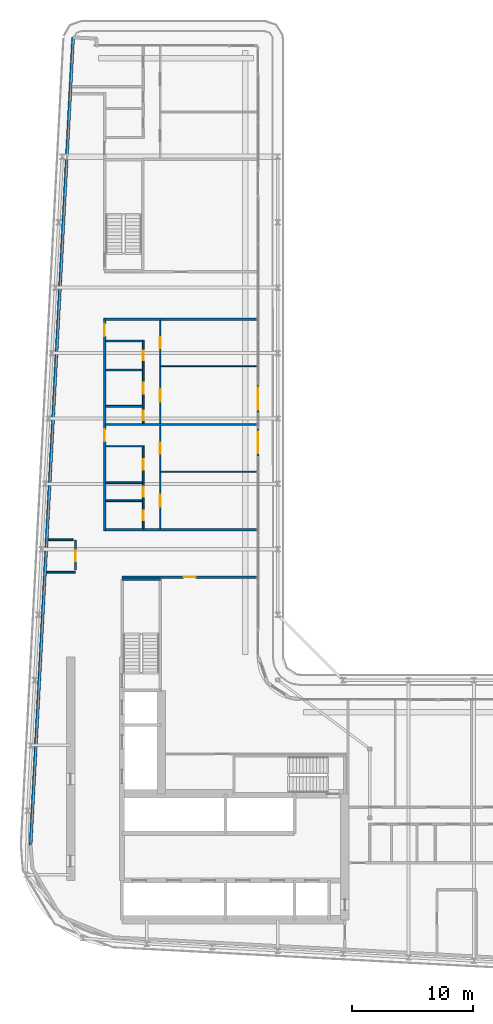
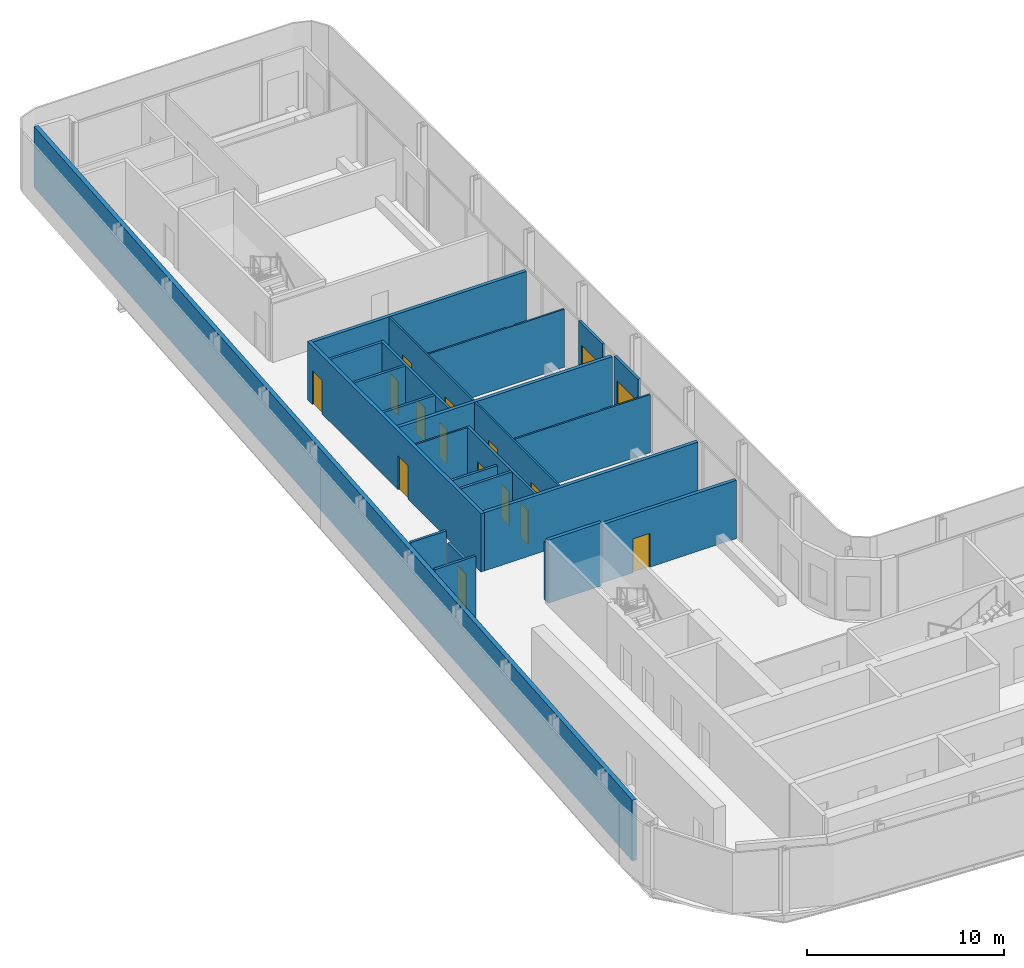
# One storey, part 13 of 22: 24 walls, 16 doors, 16 openings.
"""IFC4 building model written with IfcOpenShell, lengths in metres."""

import ifcopenshell
import ifcopenshell.guid

model = None  # the IFC model being written
_history = None  # IfcOwnerHistory: only IFC2X3 demands one
_inside = {}  # id of a spatial element -> (the spatial element, [elements in it])
_under = {}  # id of a project, library or spatial element -> (it, [spatial elements below it])
_declared = {}  # id of a project -> (the project, [libraries it declares])
_typed = {}  # id of a type object -> (the type object, [elements of that type])
_made_of = {}  # id of a material, layer set ... -> (it, [elements and type objects made of it])


def new_model(schema):
    """Start an empty IFC model of exactly this schema.

    Asked for "IFC4X3", IfcOpenShell would pick the latest addendum, in which some entities
    have other attributes; the version numbers below select the first issue.
    IFC2X3 requires an IfcOwnerHistory on every rooted entity: one is made here for all.
    """
    global model, _history
    if schema == "IFC4X3":
        model = ifcopenshell.file(schema_version=(4, 3, 0, 0))
    else:
        model = ifcopenshell.file(schema=schema)
    _inside.clear()
    _under.clear()
    _declared.clear()
    _typed.clear()
    _made_of.clear()
    _history = None
    if model.schema == "IFC2X3":
        org = make("IfcOrganization", Name="unknown")
        user = make(
            "IfcPersonAndOrganization",
            ThePerson=make("IfcPerson", FamilyName="unknown"),
            TheOrganization=org,
        )
        app = make(
            "IfcApplication",
            ApplicationDeveloper=org,
            Version="unknown",
            ApplicationFullName="unknown",
            ApplicationIdentifier="unknown",
        )
        _history = make(
            "IfcOwnerHistory",
            OwningUser=user,
            OwningApplication=app,
            ChangeAction="ADDED",
            CreationDate=0,
        )
    return model


def make(cls, **values):
    """One entity of the class cls with the attributes given. An attribute that is None is left unset."""
    return model.create_entity(
        cls, **{name: value for name, value in values.items() if value is not None}
    )


def rooted(cls, **values):
    """An entity with a GlobalId (a new one), such as an element, a storey or a relation."""
    return make(cls, GlobalId=ifcopenshell.guid.new(), OwnerHistory=_history, **values)


def si_unit(unit_type, name, prefix=None):
    """IfcSIUnit, for example si_unit("LENGTHUNIT", "METRE", prefix="MILLI")."""
    return make("IfcSIUnit", UnitType=unit_type, Prefix=prefix, Name=name)


def assignment(units):
    """IfcUnitAssignment: the units of a project."""
    return None if units is None else make("IfcUnitAssignment", Units=units)


def point(xyz):
    """IfcCartesianPoint."""
    return None if xyz is None else make("IfcCartesianPoint", Coordinates=xyz)


def direction(xyz):
    """IfcDirection."""
    return None if xyz is None else make("IfcDirection", DirectionRatios=xyz)


def frame(location, z_axis=None, x_axis=None):
    """IfcAxis2Placement3D, a coordinate frame: its origin and axes. An axis left out is left unset."""
    return make(
        "IfcAxis2Placement3D",
        Location=point(location),
        Axis=direction(z_axis),
        RefDirection=direction(x_axis),
    )


def frame_2d(location, x_axis=None):
    """IfcAxis2Placement2D, a coordinate frame in the plane: its origin and x axis."""
    return make(
        "IfcAxis2Placement2D", Location=point(location), RefDirection=direction(x_axis)
    )


def origin():
    """The frame at (0, 0, 0) with its axes left unset."""
    return frame((0.0, 0.0, 0.0))


def place(relative_to, where):
    """IfcLocalPlacement: puts the frame where relative to a parent placement (None: the world)."""
    return make(
        "IfcLocalPlacement", PlacementRelTo=relative_to, RelativePlacement=where
    )


def context(
    kind, dimensions, precision=None, world=None, true_north=None, identifier=None
):
    """IfcGeometricRepresentationContext, for example the 3D "Model" context."""
    return make(
        "IfcGeometricRepresentationContext",
        ContextIdentifier=identifier,
        ContextType=kind,
        CoordinateSpaceDimension=dimensions,
        Precision=precision,
        WorldCoordinateSystem=world,
        TrueNorth=true_north,
    )


def subcontext(parent, identifier, kind, view, scale=None):
    """IfcGeometricRepresentationSubContext, for example "Body" below "Model"."""
    return make(
        "IfcGeometricRepresentationSubContext",
        ContextIdentifier=identifier,
        ContextType=kind,
        ParentContext=parent,
        TargetScale=scale,
        TargetView=view,
    )


def project(units=None, contexts=None):
    """IfcProject with its units and contexts."""
    return rooted(
        "IfcProject",
        Name="project",
        RepresentationContexts=contexts,
        UnitsInContext=assignment(units),
    )


def spatial(cls, under=None, at=None, **own):
    """A site, building, storey or space (cls), placed at a placement, below another one or the project."""
    s = rooted(cls, ObjectPlacement=at, **own)
    if under is not None:
        _under.setdefault(under.id(), (under, []))[1].append(s)
    return s


def profile(cls, at=None, kind="AREA", **sizes):
    """A parametric profile (cls). Its sizes go by their IFC names, for example OverallWidth=200.0."""
    return make(cls, ProfileType=kind, Position=at, **sizes)


def rectangle(**sizes):
    """IfcRectangleProfileDef."""
    return profile("IfcRectangleProfileDef", **sizes)


def extrude(swept, where, along, depth):
    """IfcExtrudedAreaSolid: the profile swept, set in the frame where, extruded along a direction by depth."""
    return make(
        "IfcExtrudedAreaSolid",
        SweptArea=swept,
        Position=where,
        ExtrudedDirection=direction(along),
        Depth=depth,
    )


def shape(context_of_items, identifier, shape_type, items):
    """IfcShapeRepresentation: the items that make up one representation, for example the "Body"."""
    return make(
        "IfcShapeRepresentation",
        ContextOfItems=context_of_items,
        RepresentationIdentifier=identifier,
        RepresentationType=shape_type,
        Items=items,
    )


def source(mapping_origin, context_of_items, identifier, shape_type, items):
    """IfcRepresentationMap: a shape defined once, which mapped items show again and again."""
    return make(
        "IfcRepresentationMap",
        MappingOrigin=mapping_origin,
        MappedRepresentation=shape(context_of_items, identifier, shape_type, items),
    )


def transform(
    local_origin,
    x_axis=None,
    y_axis=None,
    z_axis=None,
    scale=None,
    scale2=None,
    scale3=None,
    uniform=True,
):
    """IfcCartesianTransformationOperator3D, or its non-uniform kind. x_axis, y_axis, z_axis: its Axis1, 2, 3."""
    if uniform:
        return make(
            "IfcCartesianTransformationOperator3D",
            Axis1=direction(x_axis),
            Axis2=direction(y_axis),
            LocalOrigin=point(local_origin),
            Scale=scale,
            Axis3=direction(z_axis),
        )
    return make(
        "IfcCartesianTransformationOperator3DnonUniform",
        Axis1=direction(x_axis),
        Axis2=direction(y_axis),
        LocalOrigin=point(local_origin),
        Scale=scale,
        Axis3=direction(z_axis),
        Scale2=scale2,
        Scale3=scale3,
    )


def mapped(mapping_source, mapping_target):
    """IfcMappedItem: shows the shape of a source again, moved by a transform."""
    return make(
        "IfcMappedItem", MappingSource=mapping_source, MappingTarget=mapping_target
    )


def material(Name=None, Category=None):
    """IfcMaterial."""
    return make("IfcMaterial", Name=Name, Category=Category)


def layer(
    of_material, thickness, ventilated=None, Name=None, Category=None, Priority=None
):
    """IfcMaterialLayer: one layer of a wall or slab, of a material (None: an air gap)."""
    return make(
        "IfcMaterialLayer",
        Material=of_material,
        LayerThickness=thickness,
        IsVentilated=ventilated,
        Name=Name,
        Category=Category,
        Priority=Priority,
    )


def layer_set(layers, Name=None):
    """IfcMaterialLayerSet."""
    return make("IfcMaterialLayerSet", MaterialLayers=layers, LayerSetName=Name)


def made_of(thing, what):
    """Note that an element or type object is made of a material, layer set ...; save() writes the relation."""
    if what is not None:
        _made_of.setdefault(what.id(), (what, []))[1].append(thing)
    return thing


def type_object(cls, material=None, **own):
    """A type object (cls), such as IfcWallType, which elements share."""
    return made_of(rooted(cls, **own), material)


def element(
    cls,
    number,
    at=None,
    inside=None,
    cuts=None,
    type_object=None,
    material=None,
    context=None,
    identifier="Body",
    shape_type=None,
    held_by="IfcProductDefinitionShape",
    body=None,
    shapes=None,
    **own,
):
    """One element of the class cls, such as IfcWall. Its Tag is "e" and its number.

    at: its placement. inside: the storey or other place that contains it. cuts: it is an
    opening in that element (IfcRelVoidsElement). A single representation is given by context,
    identifier, shape_type and body (its items); several are given by shapes. held_by: the class
    of the entity that holds the representations. save() writes the other relations.
    """
    e = rooted(cls, Tag="e%d" % number, ObjectPlacement=at, **own)
    if body is not None:
        shapes = [shape(context, identifier, shape_type, body)]
    if shapes is not None:
        e.Representation = make(held_by, Representations=shapes)
    if inside is not None:
        _inside.setdefault(inside.id(), (inside, []))[1].append(e)
    if cuts is not None:
        rooted(
            "IfcRelVoidsElement", RelatingBuildingElement=cuts, RelatedOpeningElement=e
        )
    if type_object is not None:
        _typed.setdefault(type_object.id(), (type_object, []))[1].append(e)
    return made_of(e, material)


def fill(opening, filler):
    """IfcRelFillsElement: the door or window that sits in an opening."""
    return rooted(
        "IfcRelFillsElement",
        RelatingOpeningElement=opening,
        RelatedBuildingElement=filler,
    )


def aggregate(whole, parts):
    """IfcRelAggregates: a whole, such as a stair, and the parts it consists of."""
    return rooted("IfcRelAggregates", RelatingObject=whole, RelatedObjects=parts)


def save(model, path):
    """Write the relations noted so far, then the file.

    IfcRelAggregates (storeys below a building ...), IfcRelContainedInSpatialStructure (elements
    in a storey), IfcRelDefinesByType, IfcRelAssociatesMaterial and IfcRelDeclares: one each for
    every whole, place, type object, material and project.
    """
    for whole, parts in _under.values():
        aggregate(whole, parts)
    for where, things in _inside.values():
        rooted(
            "IfcRelContainedInSpatialStructure",
            RelatedElements=things,
            RelatingStructure=where,
        )
    for kind, things in _typed.values():
        rooted("IfcRelDefinesByType", RelatedObjects=things, RelatingType=kind)
    for what, things in _made_of.values():
        rooted("IfcRelAssociatesMaterial", RelatedObjects=things, RelatingMaterial=what)
    for by, libraries in _declared.values():
        rooted("IfcRelDeclares", RelatingContext=by, RelatedDefinitions=libraries)
    model.write(path)


model = new_model("IFC4")

# Units and contexts
model_context = context("Model", 3, precision=1e-05, world=origin(), true_north=direction((0.0, 1.0)))
body_context = subcontext(model_context, "Body", "Model", "MODEL_VIEW")
ifc_project = project(units=[si_unit("LENGTHUNIT", "METRE"), si_unit("AREAUNIT", "SQUARE_METRE"), si_unit("VOLUMEUNIT", "CUBIC_METRE"), si_unit("PLANEANGLEUNIT", "RADIAN"), si_unit("MASSUNIT", "GRAM", prefix="KILO")], contexts=[model_context])

# Site, building, storey
site_placement = place(None, origin())
site = spatial("IfcSite", under=ifc_project, at=site_placement, CompositionType="ELEMENT")
building_placement = place(site_placement, origin())
building = spatial("IfcBuilding", under=site, at=building_placement, Name="Kheshtan School and Residences Tower", CompositionType="ELEMENT")
storey_placement = place(building_placement, frame((0.0, 0.0, 255.199951171875)))
storey = spatial("IfcBuildingStorey", under=building, at=storey_placement, Name="L60", CompositionType="ELEMENT", Elevation=255.199951171875)

# Wall, openings, doors
ifc_material_1 = material(Name="Gypsum board on steel studs with fire boards", Category="steel")
ifc_layer_1 = layer(ifc_material_1, 0.199951171875)
ifc_layer_set_1 = layer_set([ifc_layer_1], Name="Corridor wall 200")
wall_type_1 = type_object("IfcWallType", Name="Corridor wall 200", PredefinedType="PARTITIONING", material=ifc_layer_set_1)
wall_1_placement = place(storey_placement, frame((33.300048828125, 57.89990234375, 0.0), z_axis=(0.0, 0.0, 1.0), x_axis=(0.0, 1.0, 0.0)))
wall_1 = element("IfcWall", 1, at=wall_1_placement, inside=storey, type_object=wall_type_1, Name="Partition L60-003", PredefinedType="PARTITIONING", context=body_context, shape_type="SweptSolid", body=[
    extrude(rectangle(XDim=17.60009765625, YDim=0.199951171875, at=frame_2d((8.800048828125, 0.0))), origin(), (0.0, 0.0, 1.0), 3.60009765625),
])
opening_1_placement = place(wall_1_placement, frame((7.39990234375, 0.0, 0.0)))
opening_1 = element("IfcOpeningElement", 2, at=opening_1_placement, cuts=wall_1, Name="Opening D58-024", PredefinedType="OPENING", context=body_context, shape_type="SweptSolid", body=[
    extrude(rectangle(XDim=1.0, YDim=2.10009765625, at=frame_2d((0.5, 1.050048828125))), frame((0.0, 0.10986328125, 0.0), z_axis=(0.0, -1.0, 0.0), x_axis=(1.0, 0.0, 0.0)), (0.0, 0.0, 1.0), 0.219970703125),
])
opening_2_placement = place(wall_1_placement, frame((16.10009765625, 0.0, 0.0)))
opening_2 = element("IfcOpeningElement", 3, at=opening_2_placement, cuts=wall_1, Name="Opening D58-030", PredefinedType="OPENING", context=body_context, shape_type="SweptSolid", body=[
    extrude(rectangle(XDim=1.0, YDim=2.10009765625, at=frame_2d((0.5, 1.050048828125))), frame((0.0, 0.10986328125, 0.0), z_axis=(0.0, -1.0, 0.0), x_axis=(1.0, 0.0, 0.0)), (0.0, 0.0, 1.0), 0.219970703125),
])
ifc_material_2 = material(Name="Steel-framed fire-resisting door leaf", Category="steel")
door_type_1 = type_object("IfcDoorType", Name="Fire door FD30S 1000 x 2100", OperationType="SINGLE_SWING_LEFT", PredefinedType="DOOR", material=ifc_material_2)
shared_shape_1 = source(origin(), body_context, "Body", "SweptSolid", [
    extrude(rectangle(XDim=1.0, YDim=2.10009765625, at=frame_2d((0.5, 1.050048828125))), frame((0.0, 0.02490234375, 0.0), z_axis=(0.0, -1.0, 0.0), x_axis=(1.0, 0.0, 0.0)), (0.0, 0.0, 1.0), 0.050048828125),
])
door_1_placement = place(opening_1_placement, origin())
door_1 = element("IfcDoor", 4, at=door_1_placement, inside=storey, type_object=door_type_1, Name="Door D58-024", OperationType="SINGLE_SWING_LEFT", OverallHeight=2.10009765625, OverallWidth=1.0, PredefinedType="DOOR", context=body_context, shape_type="MappedRepresentation", body=[
    mapped(shared_shape_1, transform((0.0, 0.0, 0.0), x_axis=(1.0, 0.0, 0.0), y_axis=(0.0, 1.0, 0.0), z_axis=(0.0, 0.0, 1.0), scale=1.0)),
])
fill(opening_1, door_1)
door_2_placement = place(opening_2_placement, origin())
door_2 = element("IfcDoor", 5, at=door_2_placement, inside=storey, type_object=door_type_1, Name="Door D58-030", OperationType="SINGLE_SWING_RIGHT", OverallHeight=2.10009765625, OverallWidth=1.0, PredefinedType="DOOR", context=body_context, shape_type="MappedRepresentation", body=[
    mapped(shared_shape_1, transform((0.0, 0.0, 0.0), x_axis=(1.0, 0.0, 0.0), y_axis=(0.0, 1.0, 0.0), z_axis=(0.0, 0.0, 1.0), scale=1.0)),
])
fill(opening_2, door_2)

# Walls
for number, where, z_axis, x_axis, name in (
    (6, (33.39990234375, 58.0, 0.0), (0.0, 0.0, 1.0), (1.0, 0.0, 0.0), "Partition L60-006"),
    (7, (33.39990234375, 75.39990234375, 0.0), (0.0, 0.0, 1.0), (1.0, 0.0, 0.0), "Partition L60-014"),
):
    element("IfcWall", number, at=place(storey_placement, frame(where, z_axis=z_axis, x_axis=x_axis)), inside=storey, type_object=wall_type_1, Name=name, PredefinedType="PARTITIONING", context=body_context, shape_type="SweptSolid", body=[
        extrude(rectangle(XDim=12.5, YDim=0.199951171875, at=frame_2d((6.25, 0.0))), origin(), (0.0, 0.0, 1.0), 3.60009765625),
    ])

# Wall, opening, door
wall_2_placement = place(storey_placement, frame((34.75, 54.10009765625, 0.0), z_axis=(0.0, 0.0, 1.0), x_axis=(1.0, 0.0, 0.0)))
wall_2 = element("IfcWall", 8, at=wall_2_placement, inside=storey, type_object=wall_type_1, Name="Partition L60-017", PredefinedType="PARTITIONING", context=body_context, shape_type="SweptSolid", body=[
    extrude(rectangle(XDim=11.14990234375, YDim=0.199951171875, at=frame_2d((5.574951171875, 0.0))), origin(), (0.0, 0.0, 1.0), 3.60009765625),
])
opening_3_placement = place(wall_2_placement, frame((5.074951171875, 0.0, 0.0)))
opening_3 = element("IfcOpeningElement", 9, at=opening_3_placement, cuts=wall_2, Name="Opening D58-042", PredefinedType="OPENING", context=body_context, shape_type="SweptSolid", body=[
    extrude(rectangle(XDim=1.0, YDim=2.10009765625, at=frame_2d((0.5, 1.050048828125))), frame((0.0, 0.10986328125, 0.0), z_axis=(0.0, -1.0, 0.0), x_axis=(1.0, 0.0, 0.0)), (0.0, 0.0, 1.0), 0.219970703125),
])
door_type_2 = type_object("IfcDoorType", Name="Fire door FD60 1000 x 2100", OperationType="SINGLE_SWING_LEFT", PredefinedType="DOOR", material=ifc_material_2)
shared_shape_2 = source(origin(), body_context, "Body", "SweptSolid", [
    extrude(rectangle(XDim=1.0, YDim=2.10009765625, at=frame_2d((0.5, 1.050048828125))), frame((0.0, 0.02490234375, 0.0), z_axis=(0.0, -1.0, 0.0), x_axis=(1.0, 0.0, 0.0)), (0.0, 0.0, 1.0), 0.050048828125),
])
door_3_placement = place(opening_3_placement, origin())
door_3 = element("IfcDoor", 10, at=door_3_placement, inside=storey, type_object=door_type_2, Name="Door D58-042", OperationType="SINGLE_SWING_RIGHT", OverallHeight=2.10009765625, OverallWidth=1.0, PredefinedType="DOOR", context=body_context, shape_type="MappedRepresentation", body=[
    mapped(shared_shape_2, transform((0.0, 0.0, 0.0), x_axis=(1.0, 0.0, 0.0), y_axis=(0.0, 1.0, 0.0), z_axis=(0.0, 0.0, 1.0), scale=1.0)),
])
fill(opening_3, door_3)

# Wall
ifc_material_3 = material(Name="Concrete C40/50 with ceramic cladding and mineral wool insulation", Category="concrete")
ifc_layer_2 = layer(ifc_material_3, 0.25)
ifc_layer_set_2 = layer_set([ifc_layer_2], Name="External wall 250 ceramic clad")
wall_type_2 = type_object("IfcWallType", Name="External wall 250 ceramic clad", PredefinedType="SOLIDWALL", material=ifc_layer_set_2)
wall_3_placement = place(storey_placement, frame((27.195068359375, 31.968994140625, 0.0), z_axis=(0.0, 0.0, 1.0), x_axis=(0.052554995867, 0.998618031286, 0.0)))
element("IfcWall", 11, at=wall_3_placement, inside=storey, type_object=wall_type_2, Name="External wall L60 4", PredefinedType="SOLIDWALL", context=body_context, shape_type="SweptSolid", body=[
    extrude(rectangle(XDim=66.787353515625, YDim=0.25, at=frame_2d((33.3935546875, 0.0))), origin(), (0.0, 0.0, 1.0), 3.75),
])

# Wall, opening, door
ifc_material_4 = material(Name="Aluminium frame wall with insulated infill", Category="aluminium")
ifc_layer_3 = layer(ifc_material_4, 0.14990234375)
ifc_layer_set_3 = layer_set([ifc_layer_3], Name="Glazing frame wall 150")
wall_type_3 = type_object("IfcWallType", Name="Glazing frame wall 150", PredefinedType="SOLIDWALL", material=ifc_layer_set_3)
wall_4_placement = place(storey_placement, frame((45.97509765625, 70.01806640625, 0.0), z_axis=(0.0, 0.0, 1.0), x_axis=(0.0, -1.0, 0.0)))
wall_4 = element("IfcWall", 12, at=wall_4_placement, inside=storey, type_object=wall_type_3, Name="Balcony door wall L60 8.3", PredefinedType="SOLIDWALL", context=body_context, shape_type="SweptSolid", body=[
    extrude(rectangle(XDim=2.400146484375, YDim=0.14990234375, at=frame_2d((1.2001953125, 0.0))), origin(), (0.0, 0.0, 1.0), 3.75),
])
opening_4_placement = place(wall_4_placement, frame((0.300048828125, 0.0, 0.0)))
opening_4 = element("IfcOpeningElement", 13, at=opening_4_placement, cuts=wall_4, Name="Opening BD", PredefinedType="OPENING", context=body_context, shape_type="SweptSolid", body=[
    extrude(rectangle(XDim=1.800048828125, YDim=2.39990234375, at=frame_2d((0.89990234375, 1.199951171875))), frame((0.0, 0.0849609375, 0.0), z_axis=(0.0, -1.0, 0.0), x_axis=(1.0, 0.0, 0.0)), (0.0, 0.0, 1.0), 0.169921875),
])
ifc_material_5 = material(Name="Clear low-e glass in thermally broken aluminium frame", Category="aluminium")
door_type_3 = type_object("IfcDoorType", Name="Balcony sliding door", OperationType="SLIDING_TO_LEFT", PredefinedType="DOOR", material=ifc_material_5)
shared_shape_3 = source(origin(), body_context, "Body", "SweptSolid", [
    extrude(rectangle(XDim=1.800048828125, YDim=2.39990234375, at=frame_2d((0.89990234375, 1.199951171875))), frame((0.0, 0.02490234375, 0.0), z_axis=(0.0, -1.0, 0.0), x_axis=(1.0, 0.0, 0.0)), (0.0, 0.0, 1.0), 0.050048828125),
])
door_4_placement = place(opening_4_placement, origin())
door_4 = element("IfcDoor", 14, at=door_4_placement, inside=storey, type_object=door_type_3, Name="Balcony door L60 8.3", OperationType="SLIDING_TO_LEFT", OverallHeight=2.39990234375, OverallWidth=1.800048828125, PredefinedType="DOOR", context=body_context, shape_type="MappedRepresentation", body=[
    mapped(shared_shape_3, transform((0.0, 0.0, 0.0), x_axis=(1.0, 0.0, 0.0), y_axis=(0.0, 1.0, 0.0), z_axis=(0.0, 0.0, 1.0), scale=1.0)),
])
fill(opening_4, door_4)

wall_5_placement = place(storey_placement, frame((45.97509765625, 66.41796875, 0.0), z_axis=(0.0, 0.0, 1.0), x_axis=(0.0, -1.0, 0.0)))
wall_5 = element("IfcWall", 15, at=wall_5_placement, inside=storey, type_object=wall_type_3, Name="Balcony door wall L60 8.4", PredefinedType="SOLIDWALL", context=body_context, shape_type="SweptSolid", body=[
    extrude(rectangle(XDim=2.39990234375, YDim=0.14990234375, at=frame_2d((1.199951171875, 0.0))), origin(), (0.0, 0.0, 1.0), 3.75),
])
opening_5_placement = place(wall_5_placement, frame((0.300048828125, 0.0, 0.0)))
opening_5 = element("IfcOpeningElement", 16, at=opening_5_placement, cuts=wall_5, Name="Opening BD", PredefinedType="OPENING", context=body_context, shape_type="SweptSolid", body=[
    extrude(rectangle(XDim=1.800048828125, YDim=2.39990234375, at=frame_2d((0.89990234375, 1.199951171875))), frame((0.0, 0.0849609375, 0.0), z_axis=(0.0, -1.0, 0.0), x_axis=(1.0, 0.0, 0.0)), (0.0, 0.0, 1.0), 0.169921875),
])
door_5_placement = place(opening_5_placement, origin())
door_5 = element("IfcDoor", 17, at=door_5_placement, inside=storey, type_object=door_type_3, Name="Balcony door L60 8.4", OperationType="SLIDING_TO_LEFT", OverallHeight=2.39990234375, OverallWidth=1.800048828125, PredefinedType="DOOR", context=body_context, shape_type="MappedRepresentation", body=[
    mapped(shared_shape_3, transform((0.0, 0.0, 0.0), x_axis=(1.0, 0.0, 0.0), y_axis=(0.0, 1.0, 0.0), z_axis=(0.0, 0.0, 1.0), scale=1.0)),
])
fill(opening_5, door_5)

# Wall
ifc_material_6 = material(Name="Gypsum board on steel studs", Category="steel")
ifc_layer_4 = layer(ifc_material_6, 0.10009765625)
ifc_layer_set_4 = layer_set([ifc_layer_4], Name="Gypsum partition 100")
wall_type_4 = type_object("IfcWallType", Name="Gypsum partition 100", PredefinedType="PARTITIONING", material=ifc_layer_set_4)
wall_6_placement = place(storey_placement, frame((33.39990234375, 64.89990234375, 0.0), z_axis=(0.0, 0.0, 1.0), x_axis=(1.0, 0.0, 0.0)))
element("IfcWall", 18, at=wall_6_placement, inside=storey, type_object=wall_type_4, Name="Partition L60-009", PredefinedType="PARTITIONING", context=body_context, shape_type="SweptSolid", body=[
    extrude(rectangle(XDim=3.025146484375, YDim=0.10009765625, at=frame_2d((1.5126953125, 0.0))), origin(), (0.0, 0.0, 1.0), 3.60009765625),
])

# Wall, openings, doors
wall_7_placement = place(storey_placement, frame((37.89990234375, 58.10009765625, 0.0), z_axis=(0.0, 0.0, 1.0), x_axis=(0.0, 1.0, 0.0)))
wall_7 = element("IfcWall", 19, at=wall_7_placement, inside=storey, type_object=wall_type_4, Name="Partition L60-022", PredefinedType="PARTITIONING", context=body_context, shape_type="SweptSolid", body=[
    extrude(rectangle(XDim=8.5, YDim=0.10009765625, at=frame_2d((4.25, 0.0))), origin(), (0.0, 0.0, 1.0), 3.60009765625),
])
opening_6_placement = place(wall_7_placement, frame((6.199951171875, 0.0, 0.0)))
opening_6 = element("IfcOpeningElement", 20, at=opening_6_placement, cuts=wall_7, Name="Opening D58-023", PredefinedType="OPENING", context=body_context, shape_type="SweptSolid", body=[
    extrude(rectangle(XDim=0.89990234375, YDim=2.10009765625, at=frame_2d((0.449951171875, 1.050048828125))), frame((0.0, 0.06005859375, 0.0), z_axis=(0.0, -1.0, 0.0), x_axis=(1.0, 0.0, 0.0)), (0.0, 0.0, 1.0), 0.1201171875),
])
opening_7_placement = place(wall_7_placement, frame((1.800048828125, 0.0, 0.0)))
opening_7 = element("IfcOpeningElement", 21, at=opening_7_placement, cuts=wall_7, Name="Opening D58-026", PredefinedType="OPENING", context=body_context, shape_type="SweptSolid", body=[
    extrude(rectangle(XDim=1.0, YDim=2.10009765625, at=frame_2d((0.5, 1.050048828125))), frame((0.0, 0.06005859375, 0.0), z_axis=(0.0, -1.0, 0.0), x_axis=(1.0, 0.0, 0.0)), (0.0, 0.0, 1.0), 0.1201171875),
])
ifc_material_7 = material(Name="Veneered timber door leaf", Category="wood")
door_type_4 = type_object("IfcDoorType", Name="Door 1000 x 2100", OperationType="SINGLE_SWING_LEFT", PredefinedType="DOOR", material=ifc_material_7)
shared_shape_4 = source(origin(), body_context, "Body", "SweptSolid", [
    extrude(rectangle(XDim=1.0, YDim=2.10009765625, at=frame_2d((0.5, 1.050048828125))), frame((0.0, 0.02490234375, 0.0), z_axis=(0.0, -1.0, 0.0), x_axis=(1.0, 0.0, 0.0)), (0.0, 0.0, 1.0), 0.050048828125),
])
door_6_placement = place(opening_7_placement, origin())
door_6 = element("IfcDoor", 22, at=door_6_placement, inside=storey, type_object=door_type_4, Name="Door D58-026", OperationType="SINGLE_SWING_RIGHT", OverallHeight=2.10009765625, OverallWidth=1.0, PredefinedType="DOOR", context=body_context, shape_type="MappedRepresentation", body=[
    mapped(shared_shape_4, transform((0.0, 0.0, 0.0), x_axis=(1.0, 0.0, 0.0), y_axis=(0.0, 1.0, 0.0), z_axis=(0.0, 0.0, 1.0), scale=1.0)),
])
fill(opening_7, door_6)
door_type_5 = type_object("IfcDoorType", Name="Door 900 x 2100", OperationType="SINGLE_SWING_LEFT", PredefinedType="DOOR", material=ifc_material_7)
shared_shape_5 = source(origin(), body_context, "Body", "SweptSolid", [
    extrude(rectangle(XDim=0.89990234375, YDim=2.10009765625, at=frame_2d((0.449951171875, 1.050048828125))), frame((0.0, 0.02490234375, 0.0), z_axis=(0.0, -1.0, 0.0), x_axis=(1.0, 0.0, 0.0)), (0.0, 0.0, 1.0), 0.050048828125),
])
door_7_placement = place(opening_6_placement, origin())
door_7 = element("IfcDoor", 23, at=door_7_placement, inside=storey, type_object=door_type_5, Name="Door D58-023", OperationType="SINGLE_SWING_RIGHT", OverallHeight=2.10009765625, OverallWidth=0.89990234375, PredefinedType="DOOR", context=body_context, shape_type="MappedRepresentation", body=[
    mapped(shared_shape_5, transform((0.0, 0.0, 0.0), x_axis=(1.0, 0.0, 0.0), y_axis=(0.0, 1.0, 0.0), z_axis=(0.0, 0.0, 1.0), scale=1.0)),
])
fill(opening_6, door_7)

wall_8_placement = place(storey_placement, frame((37.89990234375, 66.800048828125, 0.0), z_axis=(0.0, 0.0, 1.0), x_axis=(0.0, 1.0, 0.0)))
wall_8 = element("IfcWall", 24, at=wall_8_placement, inside=storey, type_object=wall_type_4, Name="Partition L60-023", PredefinedType="PARTITIONING", context=body_context, shape_type="SweptSolid", body=[
    extrude(rectangle(XDim=8.5, YDim=0.10009765625, at=frame_2d((4.25, 0.0))), origin(), (0.0, 0.0, 1.0), 3.60009765625),
])
opening_8_placement = place(wall_8_placement, frame((6.199951171875, 0.0, 0.0)))
opening_8 = element("IfcOpeningElement", 25, at=opening_8_placement, cuts=wall_8, Name="Opening D58-029", PredefinedType="OPENING", context=body_context, shape_type="SweptSolid", body=[
    extrude(rectangle(XDim=0.89990234375, YDim=2.10009765625, at=frame_2d((0.449951171875, 1.050048828125))), frame((0.0, 0.06005859375, 0.0), z_axis=(0.0, -1.0, 0.0), x_axis=(1.0, 0.0, 0.0)), (0.0, 0.0, 1.0), 0.1201171875),
])
opening_9_placement = place(wall_8_placement, frame((1.800048828125, 0.0, 0.0)))
opening_9 = element("IfcOpeningElement", 26, at=opening_9_placement, cuts=wall_8, Name="Opening D58-032", PredefinedType="OPENING", context=body_context, shape_type="SweptSolid", body=[
    extrude(rectangle(XDim=1.0, YDim=2.10009765625, at=frame_2d((0.5, 1.050048828125))), frame((0.0, 0.06005859375, 0.0), z_axis=(0.0, -1.0, 0.0), x_axis=(1.0, 0.0, 0.0)), (0.0, 0.0, 1.0), 0.1201171875),
])
door_8_placement = place(opening_9_placement, origin())
door_8 = element("IfcDoor", 27, at=door_8_placement, inside=storey, type_object=door_type_4, Name="Door D58-032", OperationType="SINGLE_SWING_RIGHT", OverallHeight=2.10009765625, OverallWidth=1.0, PredefinedType="DOOR", context=body_context, shape_type="MappedRepresentation", body=[
    mapped(shared_shape_4, transform((0.0, 0.0, 0.0), x_axis=(1.0, 0.0, 0.0), y_axis=(0.0, 1.0, 0.0), z_axis=(0.0, 0.0, 1.0), scale=1.0)),
])
fill(opening_9, door_8)
door_9_placement = place(opening_8_placement, origin())
door_9 = element("IfcDoor", 28, at=door_9_placement, inside=storey, type_object=door_type_5, Name="Door D58-029", OperationType="SINGLE_SWING_RIGHT", OverallHeight=2.10009765625, OverallWidth=0.89990234375, PredefinedType="DOOR", context=body_context, shape_type="MappedRepresentation", body=[
    mapped(shared_shape_5, transform((0.0, 0.0, 0.0), x_axis=(1.0, 0.0, 0.0), y_axis=(0.0, 1.0, 0.0), z_axis=(0.0, 0.0, 1.0), scale=1.0)),
])
fill(opening_8, door_9)

# Walls
for number, where, z_axis, x_axis, name in (
    (29, (37.949951171875, 62.800048828125, 0.0), (0.0, 0.0, 1.0), (1.0, 0.0, 0.0), "Partition L60-025"),
    (30, (37.949951171875, 71.5, 0.0), (0.0, 0.0, 1.0), (1.0, 0.0, 0.0), "Partition L60-026"),
):
    element("IfcWall", number, at=place(storey_placement, frame(where, z_axis=z_axis, x_axis=x_axis)), inside=storey, type_object=wall_type_4, Name=name, PredefinedType="PARTITIONING", context=body_context, shape_type="SweptSolid", body=[
        extrude(rectangle(XDim=7.949951171875, YDim=0.10009765625, at=frame_2d((3.97509765625, 0.0))), origin(), (0.0, 0.0, 1.0), 3.60009765625),
    ])
ifc_material_8 = material(Name="Fire-board shaft wall system")
ifc_layer_5 = layer(ifc_material_8, 0.14990234375)
ifc_layer_set_5 = layer_set([ifc_layer_5], Name="Service room wall 150")
wall_type_5 = type_object("IfcWallType", Name="Service room wall 150", PredefinedType="PARTITIONING", material=ifc_layer_set_5)
wall_9_placement = place(storey_placement, frame((28.508056640625, 54.5, 0.0), z_axis=(0.0, 0.0, 1.0), x_axis=(1.0, 0.0, 0.0)))
element("IfcWall", 31, at=wall_9_placement, inside=storey, type_object=wall_type_5, Name="Service room wall", PredefinedType="PARTITIONING", context=body_context, shape_type="SweptSolid", body=[
    extrude(rectangle(XDim=2.391845703125, YDim=0.14990234375, at=frame_2d((1.19580078125, 0.0))), origin(), (0.0, 0.0, 1.0), 3.900146484375),
])

# Wall, opening, door
wall_10_placement = place(storey_placement, frame((30.89990234375, 54.695068359375, 0.0), z_axis=(0.0, 0.0, 1.0), x_axis=(0.0, 1.0, 0.0)))
wall_10 = element("IfcWall", 32, at=wall_10_placement, inside=storey, type_object=wall_type_5, Name="Service room wall", PredefinedType="PARTITIONING", context=body_context, shape_type="SweptSolid", body=[
    extrude(rectangle(XDim=2.48681640625, YDim=0.14990234375, at=frame_2d((1.243408203125, 0.0))), origin(), (0.0, 0.0, 1.0), 3.072021484375),
])
opening_10_placement = place(wall_10_placement, frame((0.696044921875, 0.0, 0.0)))
opening_10 = element("IfcOpeningElement", 33, at=opening_10_placement, cuts=wall_10, Name="Opening SR90", PredefinedType="OPENING", context=body_context, shape_type="SweptSolid", body=[
    extrude(rectangle(XDim=0.89990234375, YDim=2.199951171875, at=frame_2d((0.449951171875, 1.10009765625))), frame((0.0, 0.0849609375, 0.0), z_axis=(0.0, -1.0, 0.0), x_axis=(1.0, 0.0, 0.0)), (0.0, 0.0, 1.0), 0.169921875),
])
ifc_material_9 = material(Name="Steel door leaf, galvanised", Category="steel")
door_type_6 = type_object("IfcDoorType", Name="Service room door 900 steel 90 min", OperationType="SINGLE_SWING_LEFT", PredefinedType="DOOR", material=ifc_material_9)
shared_shape_6 = source(origin(), body_context, "Body", "SweptSolid", [
    extrude(rectangle(XDim=0.89990234375, YDim=2.199951171875, at=frame_2d((0.449951171875, 1.10009765625))), frame((0.0, 0.02490234375, 0.0), z_axis=(0.0, -1.0, 0.0), x_axis=(1.0, 0.0, 0.0)), (0.0, 0.0, 1.0), 0.050048828125),
])
door_10_placement = place(opening_10_placement, origin())
door_10 = element("IfcDoor", 34, at=door_10_placement, inside=storey, type_object=door_type_6, Name="Service room door", OperationType="SINGLE_SWING_LEFT", OverallHeight=2.199951171875, OverallWidth=0.89990234375, PredefinedType="DOOR", context=body_context, shape_type="MappedRepresentation", body=[
    mapped(shared_shape_6, transform((0.0, 0.0, 0.0), x_axis=(1.0, 0.0, 0.0), y_axis=(0.0, 1.0, 0.0), z_axis=(0.0, 0.0, 1.0), scale=1.0)),
])
fill(opening_10, door_10)

# Walls
wall_11_placement = place(storey_placement, frame((28.64892578125, 57.181884765625, 0.0), z_axis=(0.0, 0.0, 1.0), x_axis=(1.0, 0.0, 0.0)))
element("IfcWall", 35, at=wall_11_placement, inside=storey, type_object=wall_type_5, Name="Service room wall", PredefinedType="PARTITIONING", context=body_context, shape_type="SweptSolid", body=[
    extrude(rectangle(XDim=2.05615234375, YDim=0.14990234375, at=frame_2d((1.028076171875, 0.0))), origin(), (0.0, 0.0, 1.0), 3.900146484375),
])
ifc_material_10 = material(Name="Concrete C40/50", Category="concrete")
ifc_layer_6 = layer(ifc_material_10, 0.199951171875)
ifc_layer_set_6 = layer_set([ifc_layer_6], Name="Stair enclosure wall 200 Concrete C40/50")
wall_type_6 = type_object("IfcWallType", Name="Stair enclosure wall 200 Concrete C40/50", PredefinedType="SHEAR", material=ifc_layer_set_6)
wall_12_placement = place(storey_placement, frame((34.75, 53.909912109375, 0.0), z_axis=(0.0, 0.0, 1.0), x_axis=(1.0, 0.0, 0.0)))
element("IfcWall", 36, at=wall_12_placement, inside=storey, type_object=wall_type_6, Name="Stair enclosure wall ST2", PredefinedType="SHEAR", context=body_context, shape_type="SweptSolid", body=[
    extrude(rectangle(XDim=3.14990234375, YDim=0.199951171875, at=frame_2d((1.574951171875, 0.0))), origin(), (0.0, 0.0, 1.0), 3.900146484375),
])
ifc_material_11 = material(Name="Twin gypsum board on steel studs with mineral wool", Category="steel")
ifc_layer_7 = layer(ifc_material_11, 0.199951171875)
ifc_layer_set_7 = layer_set([ifc_layer_7], Name="Unit demising wall 200")
wall_type_7 = type_object("IfcWallType", Name="Unit demising wall 200", PredefinedType="PARTITIONING", material=ifc_layer_set_7)
wall_13_placement = place(storey_placement, frame((33.39990234375, 66.699951171875, 0.0), z_axis=(0.0, 0.0, 1.0), x_axis=(1.0, 0.0, 0.0)))
element("IfcWall", 37, at=wall_13_placement, inside=storey, type_object=wall_type_7, Name="Partition L60-010", PredefinedType="PARTITIONING", context=body_context, shape_type="SweptSolid", body=[
    extrude(rectangle(XDim=12.5, YDim=0.199951171875, at=frame_2d((6.25, 0.0))), origin(), (0.0, 0.0, 1.0), 3.60009765625),
])
ifc_material_12 = material(Name="Moisture-resistant gypsum board on steel studs", Category="steel")
ifc_layer_8 = layer(ifc_material_12, 0.14990234375)
ifc_layer_set_8 = layer_set([ifc_layer_8], Name="Wet-room partition 150")
wall_type_8 = type_object("IfcWallType", Name="Wet-room partition 150", PredefinedType="PARTITIONING", material=ifc_layer_set_8)
wall_14_placement = place(storey_placement, frame((33.39990234375, 60.39990234375, 0.0), z_axis=(0.0, 0.0, 1.0), x_axis=(1.0, 0.0, 0.0)))
element("IfcWall", 38, at=wall_14_placement, inside=storey, type_object=wall_type_8, Name="Partition L60-007", PredefinedType="PARTITIONING", context=body_context, shape_type="SweptSolid", body=[
    extrude(rectangle(XDim=3.025146484375, YDim=0.14990234375, at=frame_2d((1.5126953125, 0.0))), origin(), (0.0, 0.0, 1.0), 3.60009765625),
])
wall_15_placement = place(storey_placement, frame((33.39990234375, 61.89990234375, 0.0), z_axis=(0.0, 0.0, 1.0), x_axis=(1.0, 0.0, 0.0)))
element("IfcWall", 39, at=wall_15_placement, inside=storey, type_object=wall_type_8, Name="Partition L60-008", PredefinedType="PARTITIONING", context=body_context, shape_type="SweptSolid", body=[
    extrude(rectangle(XDim=3.025146484375, YDim=0.14990234375, at=frame_2d((1.5126953125, 0.0))), origin(), (0.0, 0.0, 1.0), 3.072021484375),
])
for number, where, z_axis, x_axis, name in (
    (40, (33.39990234375, 68.199951171875, 0.0), (0.0, 0.0, 1.0), (1.0, 0.0, 0.0), "Partition L60-011"),
    (41, (33.39990234375, 71.199951171875, 0.0), (0.0, 0.0, 1.0), (1.0, 0.0, 0.0), "Partition L60-012"),
    (42, (33.39990234375, 73.60009765625, 0.0), (0.0, 0.0, 1.0), (1.0, 0.0, 0.0), "Partition L60-013"),
):
    element("IfcWall", number, at=place(storey_placement, frame(where, z_axis=z_axis, x_axis=x_axis)), inside=storey, type_object=wall_type_8, Name=name, PredefinedType="PARTITIONING", context=body_context, shape_type="SweptSolid", body=[
        extrude(rectangle(XDim=3.025146484375, YDim=0.14990234375, at=frame_2d((1.5126953125, 0.0))), origin(), (0.0, 0.0, 1.0), 3.60009765625),
    ])

# Wall, openings, doors
wall_16_placement = place(storey_placement, frame((36.5, 58.10009765625, 0.0), z_axis=(0.0, 0.0, 1.0), x_axis=(0.0, 1.0, 0.0)))
wall_16 = element("IfcWall", 43, at=wall_16_placement, inside=storey, type_object=wall_type_8, Name="Partition L60-018", PredefinedType="PARTITIONING", context=body_context, shape_type="SweptSolid", body=[
    extrude(rectangle(XDim=6.849853515625, YDim=0.14990234375, at=frame_2d((3.4248046875, 0.0))), origin(), (0.0, 0.0, 1.0), 3.60009765625),
])
opening_11_placement = place(wall_16_placement, frame((0.699951171875, 0.0, 0.0)))
opening_11 = element("IfcOpeningElement", 44, at=opening_11_placement, cuts=wall_16, Name="Opening D58-022", PredefinedType="OPENING", context=body_context, shape_type="SweptSolid", body=[
    extrude(rectangle(XDim=0.800048828125, YDim=2.10009765625, at=frame_2d((0.39990234375, 1.050048828125))), frame((0.0, 0.0849609375, 0.0), z_axis=(0.0, -1.0, 0.0), x_axis=(1.0, 0.0, 0.0)), (0.0, 0.0, 1.0), 0.169921875),
])
opening_12_placement = place(wall_16_placement, frame((4.85009765625, 0.0, 0.0)))
opening_12 = element("IfcOpeningElement", 45, at=opening_12_placement, cuts=wall_16, Name="Opening D58-025", PredefinedType="OPENING", context=body_context, shape_type="SweptSolid", body=[
    extrude(rectangle(XDim=0.89990234375, YDim=2.10009765625, at=frame_2d((0.449951171875, 1.050048828125))), frame((0.0, 0.0849609375, 0.0), z_axis=(0.0, -1.0, 0.0), x_axis=(1.0, 0.0, 0.0)), (0.0, 0.0, 1.0), 0.169921875),
])
opening_13_placement = place(wall_16_placement, frame((2.64990234375, 0.0, 0.0)))
opening_13 = element("IfcOpeningElement", 46, at=opening_13_placement, cuts=wall_16, Name="Opening D58-027", PredefinedType="OPENING", context=body_context, shape_type="SweptSolid", body=[
    extrude(rectangle(XDim=0.800048828125, YDim=2.10009765625, at=frame_2d((0.39990234375, 1.050048828125))), frame((0.0, 0.0849609375, 0.0), z_axis=(0.0, -1.0, 0.0), x_axis=(1.0, 0.0, 0.0)), (0.0, 0.0, 1.0), 0.169921875),
])
door_type_7 = type_object("IfcDoorType", Name="Door 800 x 2100", OperationType="SINGLE_SWING_LEFT", PredefinedType="DOOR", material=ifc_material_7)
shared_shape_7 = source(origin(), body_context, "Body", "SweptSolid", [
    extrude(rectangle(XDim=0.800048828125, YDim=2.10009765625, at=frame_2d((0.39990234375, 1.050048828125))), frame((0.0, 0.02490234375, 0.0), z_axis=(0.0, -1.0, 0.0), x_axis=(1.0, 0.0, 0.0)), (0.0, 0.0, 1.0), 0.050048828125),
])
door_11_placement = place(opening_11_placement, origin())
door_11 = element("IfcDoor", 47, at=door_11_placement, inside=storey, type_object=door_type_7, Name="Door D58-022", OperationType="SINGLE_SWING_LEFT", OverallHeight=2.10009765625, OverallWidth=0.800048828125, PredefinedType="DOOR", context=body_context, shape_type="MappedRepresentation", body=[
    mapped(shared_shape_7, transform((0.0, 0.0, 0.0), x_axis=(1.0, 0.0, 0.0), y_axis=(0.0, 1.0, 0.0), z_axis=(0.0, 0.0, 1.0), scale=1.0)),
])
fill(opening_11, door_11)
door_12_placement = place(opening_13_placement, origin())
door_12 = element("IfcDoor", 48, at=door_12_placement, inside=storey, type_object=door_type_7, Name="Door D58-027", OperationType="SINGLE_SWING_RIGHT", OverallHeight=2.10009765625, OverallWidth=0.800048828125, PredefinedType="DOOR", context=body_context, shape_type="MappedRepresentation", body=[
    mapped(shared_shape_7, transform((0.0, 0.0, 0.0), x_axis=(1.0, 0.0, 0.0), y_axis=(0.0, 1.0, 0.0), z_axis=(0.0, 0.0, 1.0), scale=1.0)),
])
fill(opening_13, door_12)
door_13_placement = place(opening_12_placement, origin())
door_13 = element("IfcDoor", 49, at=door_13_placement, inside=storey, type_object=door_type_5, Name="Door D58-025", OperationType="SINGLE_SWING_RIGHT", OverallHeight=2.10009765625, OverallWidth=0.89990234375, PredefinedType="DOOR", context=body_context, shape_type="MappedRepresentation", body=[
    mapped(shared_shape_5, transform((0.0, 0.0, 0.0), x_axis=(1.0, 0.0, 0.0), y_axis=(0.0, 1.0, 0.0), z_axis=(0.0, 0.0, 1.0), scale=1.0)),
])
fill(opening_12, door_13)

wall_17_placement = place(storey_placement, frame((36.5, 66.800048828125, 0.0), z_axis=(0.0, 0.0, 1.0), x_axis=(0.0, 1.0, 0.0)))
wall_17 = element("IfcWall", 50, at=wall_17_placement, inside=storey, type_object=wall_type_8, Name="Partition L60-019", PredefinedType="PARTITIONING", context=body_context, shape_type="SweptSolid", body=[
    extrude(rectangle(XDim=6.875, YDim=0.14990234375, at=frame_2d((3.4375, 0.0))), origin(), (0.0, 0.0, 1.0), 3.60009765625),
])
opening_14_placement = place(wall_17_placement, frame((5.199951171875, 0.0, 0.0)))
opening_14 = element("IfcOpeningElement", 51, at=opening_14_placement, cuts=wall_17, Name="Opening D58-028", PredefinedType="OPENING", context=body_context, shape_type="SweptSolid", body=[
    extrude(rectangle(XDim=0.800048828125, YDim=2.10009765625, at=frame_2d((0.39990234375, 1.050048828125))), frame((0.0, 0.0849609375, 0.0), z_axis=(0.0, -1.0, 0.0), x_axis=(1.0, 0.0, 0.0)), (0.0, 0.0, 1.0), 0.169921875),
])
opening_15_placement = place(wall_17_placement, frame((2.449951171875, 0.0, 0.0)))
opening_15 = element("IfcOpeningElement", 52, at=opening_15_placement, cuts=wall_17, Name="Opening D58-031", PredefinedType="OPENING", context=body_context, shape_type="SweptSolid", body=[
    extrude(rectangle(XDim=0.89990234375, YDim=2.10009765625, at=frame_2d((0.449951171875, 1.050048828125))), frame((0.0, 0.0849609375, 0.0), z_axis=(0.0, -1.0, 0.0), x_axis=(1.0, 0.0, 0.0)), (0.0, 0.0, 1.0), 0.169921875),
])
opening_16_placement = place(wall_17_placement, frame((0.25, 0.0, 0.0)))
opening_16 = element("IfcOpeningElement", 53, at=opening_16_placement, cuts=wall_17, Name="Opening D58-033", PredefinedType="OPENING", context=body_context, shape_type="SweptSolid", body=[
    extrude(rectangle(XDim=0.800048828125, YDim=2.10009765625, at=frame_2d((0.39990234375, 1.050048828125))), frame((0.0, 0.0849609375, 0.0), z_axis=(0.0, -1.0, 0.0), x_axis=(1.0, 0.0, 0.0)), (0.0, 0.0, 1.0), 0.169921875),
])
door_14_placement = place(opening_14_placement, origin())
door_14 = element("IfcDoor", 54, at=door_14_placement, inside=storey, type_object=door_type_7, Name="Door D58-028", OperationType="SINGLE_SWING_RIGHT", OverallHeight=2.10009765625, OverallWidth=0.800048828125, PredefinedType="DOOR", context=body_context, shape_type="MappedRepresentation", body=[
    mapped(shared_shape_7, transform((0.0, 0.0, 0.0), x_axis=(1.0, 0.0, 0.0), y_axis=(0.0, 1.0, 0.0), z_axis=(0.0, 0.0, 1.0), scale=1.0)),
])
fill(opening_14, door_14)
door_15_placement = place(opening_16_placement, origin())
door_15 = element("IfcDoor", 55, at=door_15_placement, inside=storey, type_object=door_type_7, Name="Door D58-033", OperationType="SINGLE_SWING_RIGHT", OverallHeight=2.10009765625, OverallWidth=0.800048828125, PredefinedType="DOOR", context=body_context, shape_type="MappedRepresentation", body=[
    mapped(shared_shape_7, transform((0.0, 0.0, 0.0), x_axis=(1.0, 0.0, 0.0), y_axis=(0.0, 1.0, 0.0), z_axis=(0.0, 0.0, 1.0), scale=1.0)),
])
fill(opening_16, door_15)
door_16_placement = place(opening_15_placement, origin())
door_16 = element("IfcDoor", 56, at=door_16_placement, inside=storey, type_object=door_type_5, Name="Door D58-031", OperationType="SINGLE_SWING_RIGHT", OverallHeight=2.10009765625, OverallWidth=0.89990234375, PredefinedType="DOOR", context=body_context, shape_type="MappedRepresentation", body=[
    mapped(shared_shape_5, transform((0.0, 0.0, 0.0), x_axis=(1.0, 0.0, 0.0), y_axis=(0.0, 1.0, 0.0), z_axis=(0.0, 0.0, 1.0), scale=1.0)),
])
fill(opening_15, door_16)

save(model, "model.ifc")
